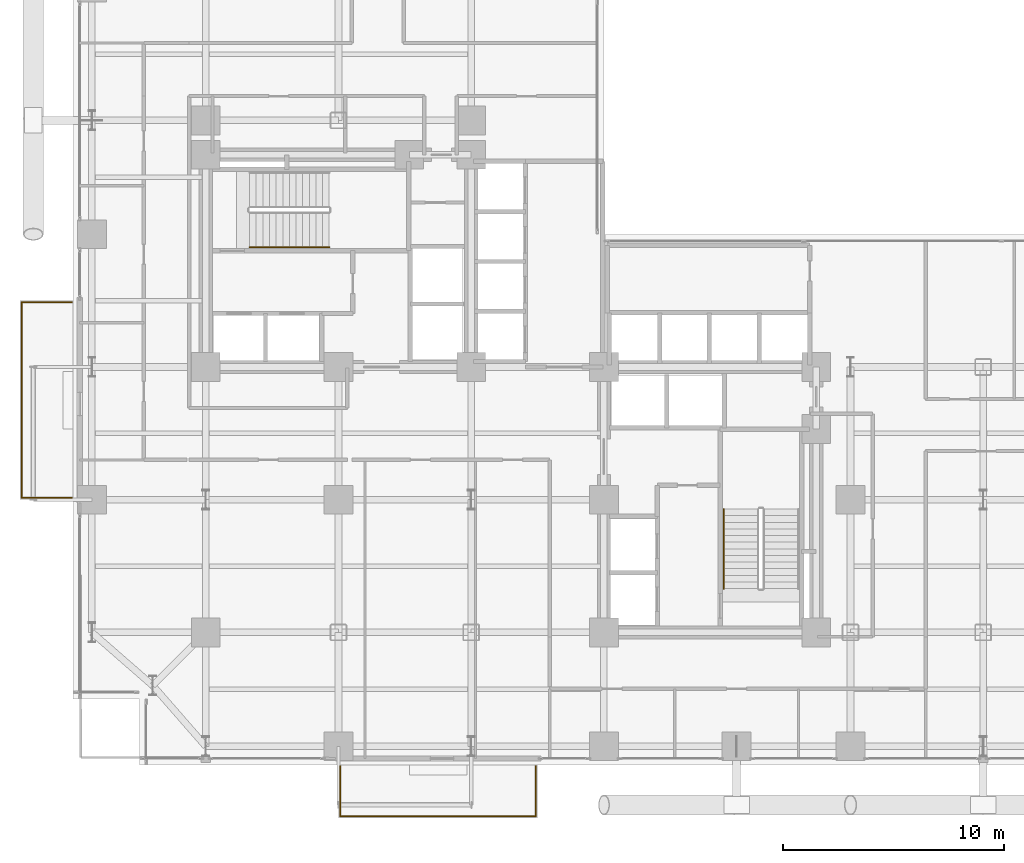
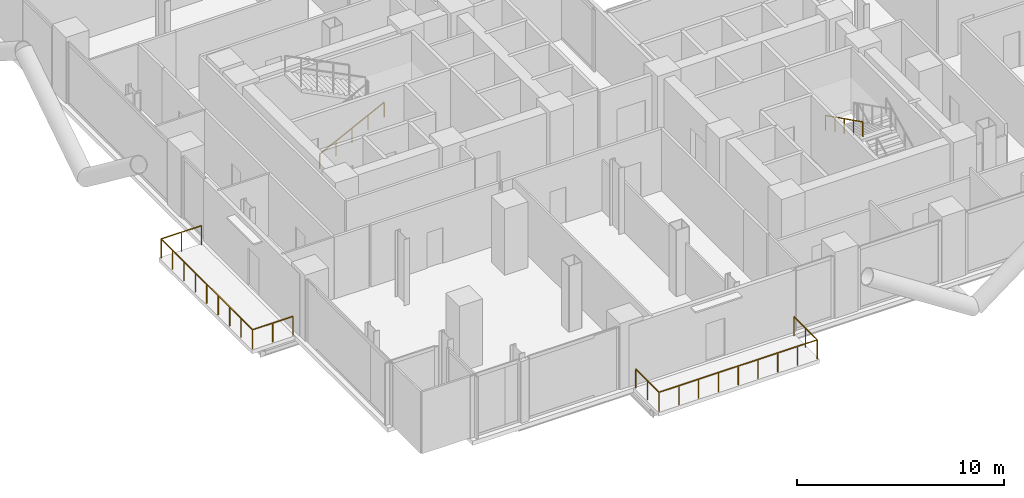
# One storey, part 24 of 25: 4 railings.
"""IFC4 building model written with IfcOpenShell, lengths in metres."""

from ifc_helpers import new_model, si_unit, direction, frame, origin, origin_2d, place, context, subcontext, project, spatial, rectangle, extrude, material, type_object, element, save


model = new_model("IFC4")

# Units and contexts
model_context = context("Model", 3, precision=1e-05, world=origin(), true_north=direction((0.0, 1.0)))
body_context = subcontext(model_context, "Body", "Model", "MODEL_VIEW")
ifc_project = project(units=[si_unit("LENGTHUNIT", "METRE"), si_unit("AREAUNIT", "SQUARE_METRE"), si_unit("VOLUMEUNIT", "CUBIC_METRE"), si_unit("PLANEANGLEUNIT", "RADIAN"), si_unit("MASSUNIT", "GRAM", prefix="KILO"), si_unit("THERMODYNAMICTEMPERATUREUNIT", "KELVIN"), si_unit("POWERUNIT", "WATT")], contexts=[model_context])

# Site, building, storey
site_placement = place(None, origin())
site = spatial("IfcSite", under=ifc_project, at=site_placement, CompositionType="ELEMENT")
building_placement = place(site_placement, origin())
building = spatial("IfcBuilding", under=site, at=building_placement, Name="Svarakhadi Broadcast Tower", CompositionType="ELEMENT")
storey_placement = place(building_placement, frame((0.0, 0.0, 32.39990234375)))
storey = spatial("IfcBuildingStorey", under=building, at=storey_placement, Name="L06", CompositionType="ELEMENT", Elevation=32.39990234375)

# Railings
ifc_material_1 = material(Name="Laminated Structural SentryGlas Balustrade 25.5 mm", Category="glass")
railing_type_1 = type_object("IfcRailingType", Name="Guard_Balcony_GR01", PredefinedType="BALUSTRADE", material=ifc_material_1)
railing_1_placement = place(storey_placement, frame((12.080078125, -0.06005859375, 0.0)))
element("IfcRailing", 1, at=railing_1_placement, inside=storey, type_object=railing_type_1, Name="L06 South Tree Balcony Guard GR-05", PredefinedType="BALUSTRADE", context=body_context, shape_type="SweptSolid", body=[
    extrude(rectangle(XDim=0.048095703125, YDim=0.048095703125, at=origin_2d()), frame((0.0, 0.0, 1.1259765625), z_axis=(0.0, -1.0, 0.0), x_axis=(1.0, 0.0, 0.0)), (0.0, 0.0, 1.0), 2.260009765625),
    extrude(rectangle(XDim=0.048095703125, YDim=0.048095703125, at=origin_2d()), frame((0.0, -2.260009765625, 1.1259765625), z_axis=(1.0, 0.0, 0.0), x_axis=(0.0, 1.0, 0.0)), (0.0, 0.0, 1.0), 8.83984375),
    extrude(rectangle(XDim=0.048095703125, YDim=0.048095703125, at=origin_2d()), frame((8.83984375, -2.260009765625, 1.1259765625), z_axis=(0.0, 1.0, 0.0), x_axis=(-1.0, 0.0, 0.0)), (0.0, 0.0, 1.0), 2.260009765625),
    extrude(rectangle(XDim=0.0419921875, YDim=0.0419921875, at=origin_2d()), origin(), (0.0, 0.0, 1.0), 1.101806640625),
    extrude(rectangle(XDim=0.0419921875, YDim=0.0419921875, at=origin_2d()), frame((0.0, -1.1298828125, 0.0)), (0.0, 0.0, 1.0), 1.101806640625),
    extrude(rectangle(XDim=0.0419921875, YDim=0.0419921875, at=origin_2d()), frame((0.0, -2.260009765625, 0.0)), (0.0, 0.0, 1.0), 1.101806640625),
    extrude(rectangle(XDim=0.0419921875, YDim=0.0419921875, at=origin_2d()), frame((1.10498046875, -2.260009765625, 0.0)), (0.0, 0.0, 1.0), 1.101806640625),
    extrude(rectangle(XDim=0.0419921875, YDim=0.0419921875, at=origin_2d()), frame((2.2099609375, -2.260009765625, 0.0)), (0.0, 0.0, 1.0), 1.101806640625),
    extrude(rectangle(XDim=0.0419921875, YDim=0.0419921875, at=origin_2d()), frame((3.31494140625, -2.260009765625, 0.0)), (0.0, 0.0, 1.0), 1.101806640625),
    extrude(rectangle(XDim=0.0419921875, YDim=0.0419921875, at=origin_2d()), frame((4.419921875, -2.260009765625, 0.0)), (0.0, 0.0, 1.0), 1.101806640625),
    extrude(rectangle(XDim=0.0419921875, YDim=0.0419921875, at=origin_2d()), frame((5.52490234375, -2.260009765625, 0.0)), (0.0, 0.0, 1.0), 1.101806640625),
    extrude(rectangle(XDim=0.0419921875, YDim=0.0419921875, at=origin_2d()), frame((6.6298828125, -2.260009765625, 0.0)), (0.0, 0.0, 1.0), 1.101806640625),
    extrude(rectangle(XDim=0.0419921875, YDim=0.0419921875, at=origin_2d()), frame((7.73486328125, -2.260009765625, 0.0)), (0.0, 0.0, 1.0), 1.101806640625),
    extrude(rectangle(XDim=0.0419921875, YDim=0.0419921875, at=origin_2d()), frame((8.83984375, -2.260009765625, 0.0)), (0.0, 0.0, 1.0), 1.101806640625),
    extrude(rectangle(XDim=0.0419921875, YDim=0.0419921875, at=origin_2d()), frame((8.83984375, -1.1298828125, 0.0)), (0.0, 0.0, 1.0), 1.101806640625),
    extrude(rectangle(XDim=0.0419921875, YDim=0.0419921875, at=origin_2d()), frame((8.83984375, 0.0, 0.0)), (0.0, 0.0, 1.0), 1.101806640625),
])
railing_2_placement = place(storey_placement, frame((-0.06005859375, 12.080078125, 0.0)))
element("IfcRailing", 2, at=railing_2_placement, inside=storey, type_object=railing_type_1, Name="L06 West Tree Balcony Guard GR-05", PredefinedType="BALUSTRADE", context=body_context, shape_type="SweptSolid", body=[
    extrude(rectangle(XDim=0.048095703125, YDim=0.048095703125, at=origin_2d()), frame((0.0, 0.0, 1.1259765625), z_axis=(-1.0, 0.0, 0.0), x_axis=(0.0, -1.0, 0.0)), (0.0, 0.0, 1.0), 2.260009765625),
    extrude(rectangle(XDim=0.048095703125, YDim=0.048095703125, at=origin_2d()), frame((-2.260009765625, 0.0, 1.1259765625), z_axis=(0.0, 1.0, 0.0), x_axis=(-1.0, 0.0, 0.0)), (0.0, 0.0, 1.0), 8.83984375),
    extrude(rectangle(XDim=0.048095703125, YDim=0.048095703125, at=origin_2d()), frame((-2.260009765625, 8.83984375, 1.1259765625), z_axis=(1.0, 0.0, 0.0), x_axis=(0.0, 1.0, 0.0)), (0.0, 0.0, 1.0), 2.260009765625),
    extrude(rectangle(XDim=0.0419921875, YDim=0.0419921875, at=origin_2d()), origin(), (0.0, 0.0, 1.0), 1.101806640625),
    extrude(rectangle(XDim=0.0419921875, YDim=0.0419921875, at=origin_2d()), frame((-1.1298828125, 0.0, 0.0)), (0.0, 0.0, 1.0), 1.101806640625),
    extrude(rectangle(XDim=0.0419921875, YDim=0.0419921875, at=origin_2d()), frame((-2.260009765625, 0.0, 0.0)), (0.0, 0.0, 1.0), 1.101806640625),
    extrude(rectangle(XDim=0.0419921875, YDim=0.0419921875, at=origin_2d()), frame((-2.260009765625, 1.10498046875, 0.0)), (0.0, 0.0, 1.0), 1.101806640625),
    extrude(rectangle(XDim=0.0419921875, YDim=0.0419921875, at=origin_2d()), frame((-2.260009765625, 2.2099609375, 0.0)), (0.0, 0.0, 1.0), 1.101806640625),
    extrude(rectangle(XDim=0.0419921875, YDim=0.0419921875, at=origin_2d()), frame((-2.260009765625, 3.31494140625, 0.0)), (0.0, 0.0, 1.0), 1.101806640625),
    extrude(rectangle(XDim=0.0419921875, YDim=0.0419921875, at=origin_2d()), frame((-2.260009765625, 4.419921875, 0.0)), (0.0, 0.0, 1.0), 1.101806640625),
    extrude(rectangle(XDim=0.0419921875, YDim=0.0419921875, at=origin_2d()), frame((-2.260009765625, 5.52490234375, 0.0)), (0.0, 0.0, 1.0), 1.101806640625),
    extrude(rectangle(XDim=0.0419921875, YDim=0.0419921875, at=origin_2d()), frame((-2.260009765625, 6.6298828125, 0.0)), (0.0, 0.0, 1.0), 1.101806640625),
    extrude(rectangle(XDim=0.0419921875, YDim=0.0419921875, at=origin_2d()), frame((-2.260009765625, 7.73486328125, 0.0)), (0.0, 0.0, 1.0), 1.101806640625),
    extrude(rectangle(XDim=0.0419921875, YDim=0.0419921875, at=origin_2d()), frame((-2.260009765625, 8.83984375, 0.0)), (0.0, 0.0, 1.0), 1.101806640625),
    extrude(rectangle(XDim=0.0419921875, YDim=0.0419921875, at=origin_2d()), frame((-1.1298828125, 8.83984375, 0.0)), (0.0, 0.0, 1.0), 1.101806640625),
    extrude(rectangle(XDim=0.0419921875, YDim=0.0419921875, at=origin_2d()), frame((0.0, 8.83984375, 0.0)), (0.0, 0.0, 1.0), 1.101806640625),
])
ifc_material_2 = material(Name="Anodised Bronze Aluminium AA 6063-T6", Category="aluminium")
railing_type_2 = type_object("IfcRailingType", Name="Handrail_Stair_HR01", PredefinedType="HANDRAIL", material=ifc_material_2)
railing_3_placement = place(storey_placement, frame((7.97998046875, 23.409912109375, 0.150146484375)))
element("IfcRailing", 3, at=railing_3_placement, inside=storey, type_object=railing_type_2, Name="L06 ST-01 stair handrail 1", PredefinedType="HANDRAIL", context=body_context, shape_type="SweptSolid", body=[
    extrude(rectangle(XDim=0.048095703125, YDim=0.048095703125, at=origin_2d()), frame((0.0, 0.0, 0.8759765625), z_axis=(0.894427191, 0.0, 0.4472135955), x_axis=(0.0, 1.0, 0.0)), (0.0, 0.0, 1.0), 4.025146484375),
    extrude(rectangle(XDim=0.0419921875, YDim=0.0419921875, at=origin_2d()), origin(), (0.0, 0.0, 1.0), 0.851806640625),
    extrude(rectangle(XDim=0.0419921875, YDim=0.0419921875, at=origin_2d()), frame((0.89990234375, 0.0, 0.449951171875)), (0.0, 0.0, 1.0), 0.851806640625),
    extrude(rectangle(XDim=0.0419921875, YDim=0.0419921875, at=origin_2d()), frame((1.800048828125, 0.0, 0.89990234375)), (0.0, 0.0, 1.0), 0.851806640625),
    extrude(rectangle(XDim=0.0419921875, YDim=0.0419921875, at=origin_2d()), frame((2.7001953125, 0.0, 1.35009765625)), (0.0, 0.0, 1.0), 0.851806640625),
    extrude(rectangle(XDim=0.0419921875, YDim=0.0419921875, at=origin_2d()), frame((3.60009765625, 0.0, 1.800048828125)), (0.0, 0.0, 1.0), 0.851806640625),
])
railing_4_placement = place(storey_placement, frame((29.409912109375, 11.580078125, 2.10009765625)))
element("IfcRailing", 4, at=railing_4_placement, inside=storey, type_object=railing_type_2, Name="L06 ST-02 stair handrail 2", PredefinedType="HANDRAIL", context=body_context, shape_type="SweptSolid", body=[
    extrude(rectangle(XDim=0.048095703125, YDim=0.048095703125, at=origin_2d()), frame((0.0, 0.0, 0.8759765625), z_axis=(0.0, -0.894427191, 0.4472135955), x_axis=(1.0, 0.0, 0.0)), (0.0, 0.0, 1.0), 4.025146484375),
    extrude(rectangle(XDim=0.0419921875, YDim=0.0419921875, at=origin_2d()), origin(), (0.0, 0.0, 1.0), 0.851806640625),
    extrude(rectangle(XDim=0.0419921875, YDim=0.0419921875, at=origin_2d()), frame((0.0, -0.89990234375, 0.449951171875)), (0.0, 0.0, 1.0), 0.851806640625),
    extrude(rectangle(XDim=0.0419921875, YDim=0.0419921875, at=origin_2d()), frame((0.0, -1.800048828125, 0.89990234375)), (0.0, 0.0, 1.0), 0.851806640625),
    extrude(rectangle(XDim=0.0419921875, YDim=0.0419921875, at=origin_2d()), frame((0.0, -2.7001953125, 1.35009765625)), (0.0, 0.0, 1.0), 0.851806640625),
    extrude(rectangle(XDim=0.0419921875, YDim=0.0419921875, at=origin_2d()), frame((0.0, -3.60009765625, 1.800048828125)), (0.0, 0.0, 1.0), 0.851806640625),
])

save(model, "model.ifc")
